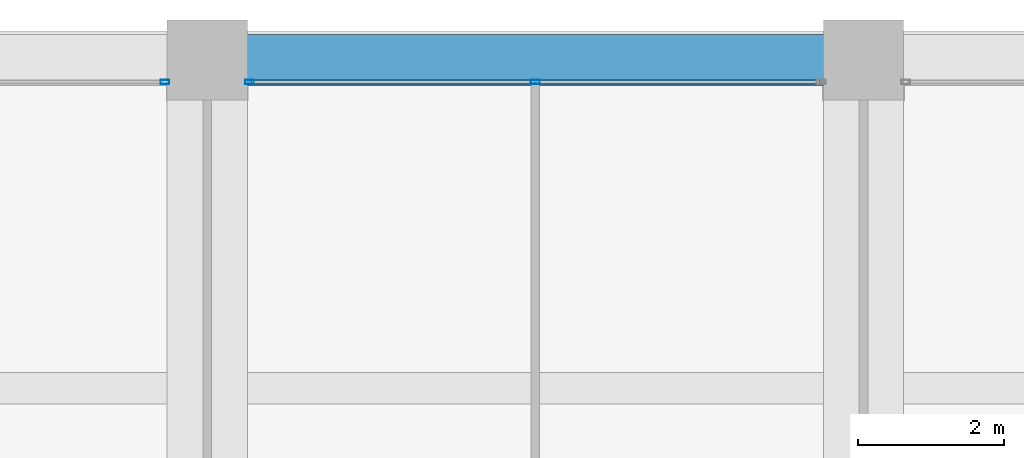
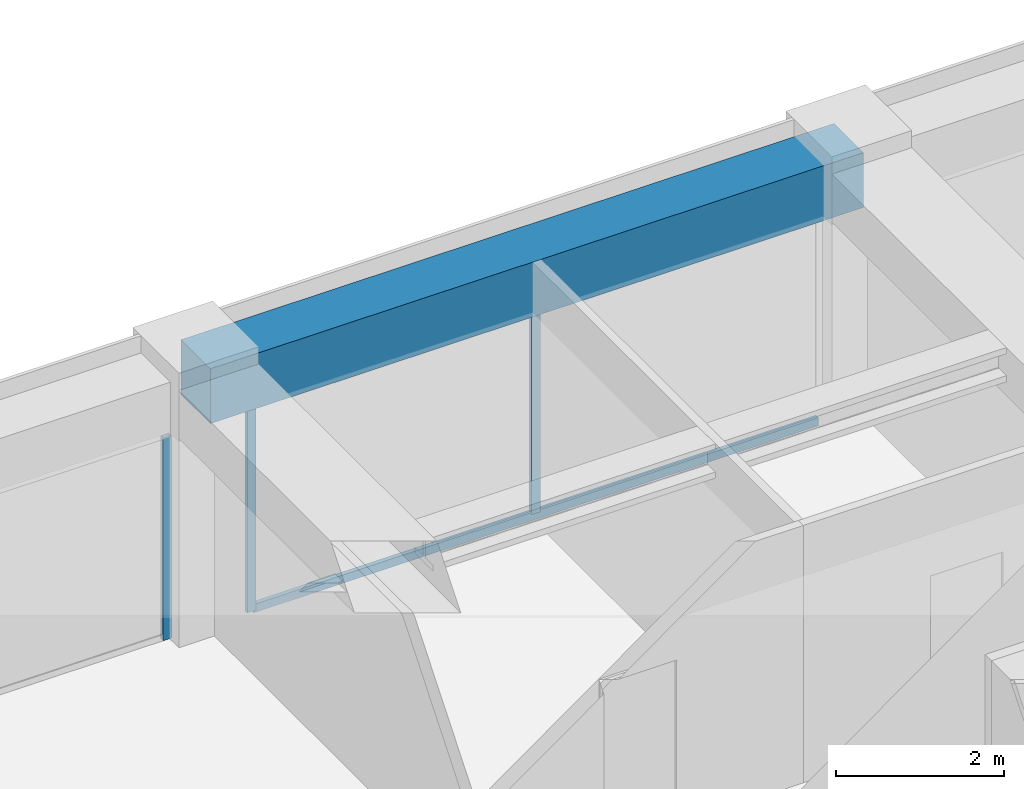
# One storey, part 33 of 44: 4 members, 1 beam, 2 elements without a shape of their own.
"""IFC4 building model written with IfcOpenShell, lengths in metres."""

from ifc_helpers import new_model, si_unit, direction, frame, origin, origin_2d, place, context, subcontext, project, spatial, rectangle, hollow_rectangle, extrude, material, material_profile, profile_set, type_object, element, aggregate, save


model = new_model("IFC4")

# Units and contexts
model_context = context("Model", 3, precision=1e-05, world=origin(), true_north=direction((0.0, 1.0)))
body_context = subcontext(model_context, "Body", "Model", "MODEL_VIEW")
ifc_project = project(units=[si_unit("LENGTHUNIT", "METRE"), si_unit("AREAUNIT", "SQUARE_METRE"), si_unit("VOLUMEUNIT", "CUBIC_METRE"), si_unit("PLANEANGLEUNIT", "RADIAN"), si_unit("MASSUNIT", "GRAM", prefix="KILO")], contexts=[model_context])

# Site, building, storey
site_placement = place(None, origin())
site = spatial("IfcSite", under=ifc_project, at=site_placement, CompositionType="ELEMENT")
building_placement = place(site_placement, origin())
building = spatial("IfcBuilding", under=site, at=building_placement, Name="Zorevar Civic Tower", CompositionType="ELEMENT")
storey_placement = place(building_placement, frame((0.0, 0.0, 255.39990234375)))
storey = spatial("IfcBuildingStorey", under=building, at=storey_placement, Name="L62", CompositionType="ELEMENT", Elevation=255.39990234375)

# Curtain wall, member
ifc_material_1 = material(Name="Dark grey solar-control glass in black aluminium frame", Category="aluminium")
curtain_wall_type = type_object("IfcCurtainWallType", Name="Curtain wall CW5 top zone", PredefinedType="NOTDEFINED", material=ifc_material_1)
curtain_wall_1_placement = place(storey_placement, origin())
curtain_wall_1 = element("IfcCurtainWall", 1, at=curtain_wall_1_placement, inside=storey, type_object=curtain_wall_type, Name="CW5 L62", PredefinedType="NOTDEFINED")
ifc_material_2 = material(Name="Aluminium, black anodised", Category="aluminium")
ifc_material_profile_1 = material_profile(ifc_material_2, hollow_rectangle(XDim=0.06005859375, YDim=0.1201171875, WallThickness=0.0029296875, at=origin_2d()), Name="AL 120x60x3")
ifc_profile_set_1 = profile_set([ifc_material_profile_1], Name="Aluminium, black anodised")
member_type_1 = type_object("IfcMemberType", Name="CW5 mullion AL 120x60x3", PredefinedType="MULLION", material=ifc_profile_set_1)
member_1_placement = place(storey_placement, frame((26.419921875, 44.699951171875, 0.0), z_axis=(0.0, 0.0, 1.0), x_axis=(0.0, 1.0, 0.0)))
member_1 = element("IfcMember", 2, at=member_1_placement, type_object=member_type_1, Name="CW5 mullion 3", PredefinedType="MULLION", context=body_context, shape_type="SweptSolid", body=[
    extrude(hollow_rectangle(XDim=0.06005859375, YDim=0.1201171875, WallThickness=0.0029296875, at=origin_2d()), origin(), (0.0, 0.0, 1.0), 2.9501953125),
])
aggregate(curtain_wall_1, [member_1])

# Curtain wall, members
curtain_wall_2_placement = place(storey_placement, origin())
curtain_wall_2 = element("IfcCurtainWall", 3, at=curtain_wall_2_placement, inside=storey, type_object=curtain_wall_type, Name="CW5 L62", PredefinedType="NOTDEFINED")
member_2_placement = place(storey_placement, frame((27.580078125, 44.699951171875, 0.0), z_axis=(0.0, 0.0, 1.0), x_axis=(0.0, 1.0, 0.0)))
member_2 = element("IfcMember", 4, at=member_2_placement, type_object=member_type_1, Name="CW5 mullion 1", PredefinedType="MULLION", context=body_context, shape_type="SweptSolid", body=[
    extrude(hollow_rectangle(XDim=0.06005859375, YDim=0.1201171875, WallThickness=0.0029296875, at=origin_2d()), origin(), (0.0, 0.0, 1.0), 2.9501953125),
])
member_3_placement = place(storey_placement, frame((31.5, 44.699951171875, 0.06005859375), z_axis=(0.0, 0.0, 1.0), x_axis=(0.0, 1.0, 0.0)))
member_3 = element("IfcMember", 5, at=member_3_placement, type_object=member_type_1, Name="CW5 mullion 2", PredefinedType="MULLION", context=body_context, shape_type="SweptSolid", body=[
    extrude(hollow_rectangle(XDim=0.06005859375, YDim=0.1201171875, WallThickness=0.0029296875, at=origin_2d()), origin(), (0.0, 0.0, 1.0), 2.89013671875),
])
ifc_material_3 = material(Name="Aluminium, black anodised", Category="aluminium")
ifc_material_profile_2 = material_profile(ifc_material_3, hollow_rectangle(XDim=0.06005859375, YDim=0.1201171875, WallThickness=0.0029296875, at=origin_2d()), Name="AL 120x60x3")
ifc_profile_set_2 = profile_set([ifc_material_profile_2], Name="Aluminium, black anodised")
member_type_2 = type_object("IfcMemberType", Name="CW5 transom AL 120x60x3", PredefinedType="USERDEFINED", material=ifc_profile_set_2)
member_4_placement = place(storey_placement, frame((27.610107421875, 44.699951171875, 0.030029296875), z_axis=(1.0, 0.0, 0.0), x_axis=(0.0, 1.0, 0.0)))
member_4 = element("IfcMember", 6, at=member_4_placement, type_object=member_type_2, Name="CW5 sill transom", ObjectType="TRANSOM", PredefinedType="USERDEFINED", context=body_context, shape_type="SweptSolid", body=[
    extrude(hollow_rectangle(XDim=0.06005859375, YDim=0.1201171875, WallThickness=0.0029296875, at=origin_2d()), origin(), (0.0, 0.0, 1.0), 7.77978515625),
])
aggregate(curtain_wall_2, [member_2, member_3, member_4])

# Beam
ifc_material_4 = material(Name="Concrete C50/60", Category="concrete")
ifc_material_profile_3 = material_profile(ifc_material_4, rectangle(XDim=0.699951171875, YDim=0.800048828125, at=origin_2d()), Name="RC 700x800")
ifc_profile_set_3 = profile_set([ifc_material_profile_3], Name="Concrete C50/60")
beam_type = type_object("IfcBeamType", Name="Edge beam RC 700x800", PredefinedType="SPANDREL", material=ifc_profile_set_3)
beam_placement = place(storey_placement, frame((27.0, 45.0, 3.35009765625), z_axis=(1.0, 0.0, 0.0), x_axis=(0.0, 1.0, 0.0)))
element("IfcBeam", 7, at=beam_placement, inside=storey, type_object=beam_type, Name="Edge beam L63", PredefinedType="SPANDREL", context=body_context, shape_type="SweptSolid", body=[
    extrude(rectangle(XDim=0.699951171875, YDim=0.800048828125, at=origin_2d()), origin(), (0.0, 0.0, 1.0), 9.0),
])

save(model, "model.ifc")
